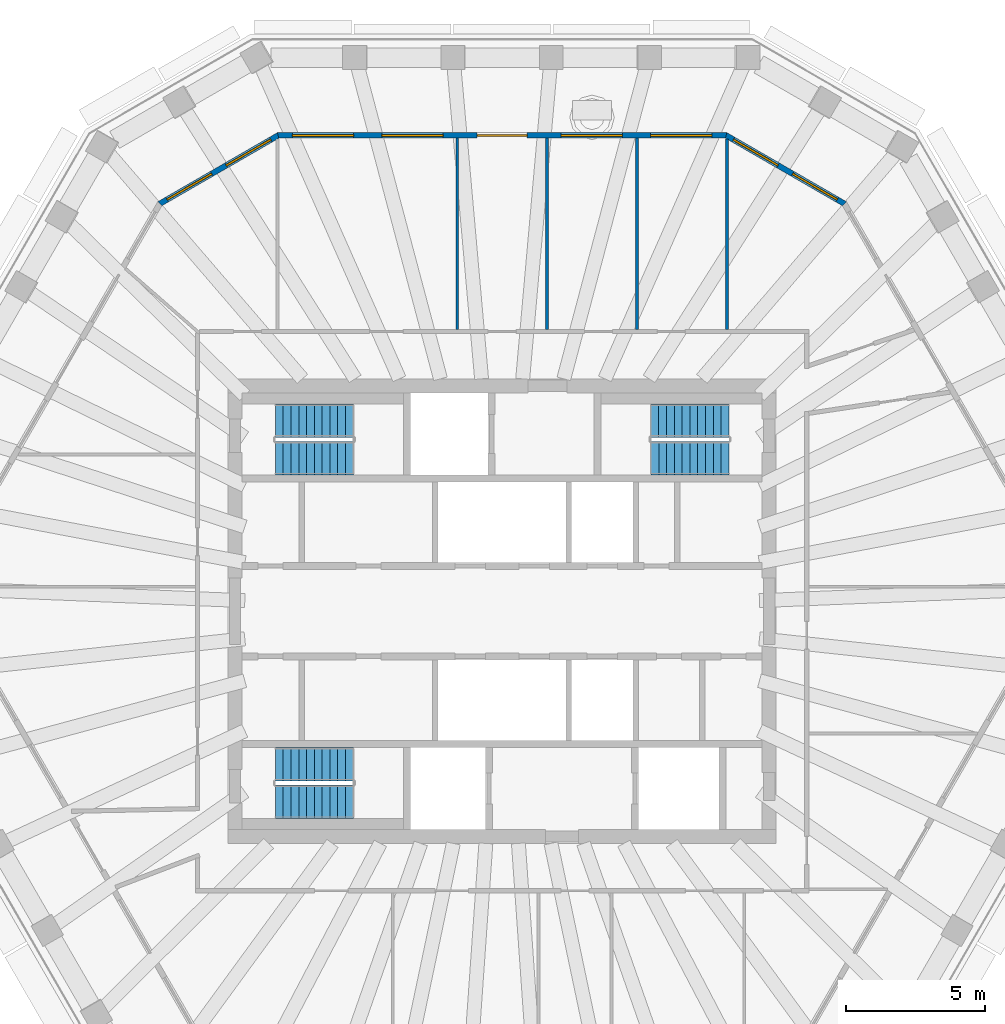
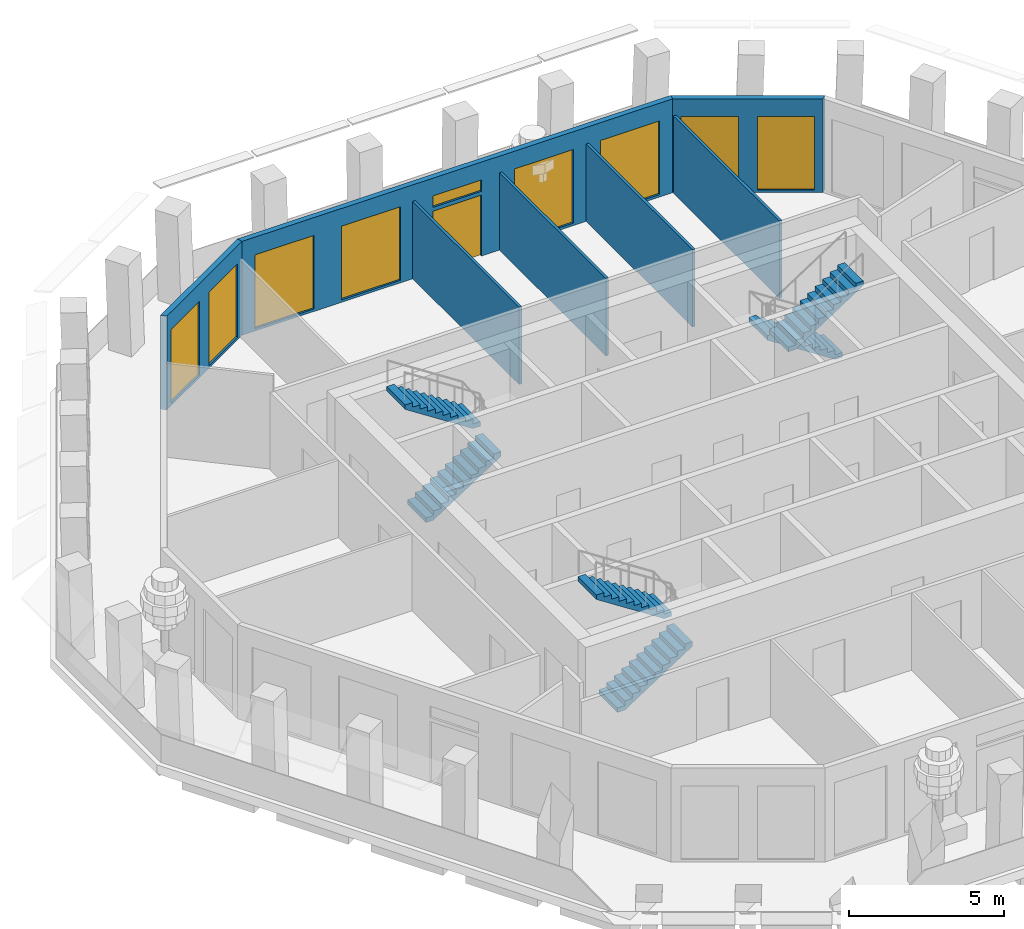
# One storey, part 7 of 11: 9 windows, 7 walls, 6 stair flights, 1 door, 10 openings, 3 elements without a shape of their own.
"""IFC4 building model written with IfcOpenShell, lengths in metres."""

from ifc_helpers import new_model, si_unit, direction, frame, frame_2d, origin, place, context, subcontext, project, spatial, polyline, rectangle, outline, extrude, material, layer, layer_set, type_object, element, fill, aggregate, save


model = new_model("IFC4")

# Units and contexts
model_context = context("Model", 3, precision=1e-05, world=origin(), true_north=direction((0.0, 1.0)))
body_context = subcontext(model_context, "Body", "Model", "MODEL_VIEW")
ifc_project = project(units=[si_unit("LENGTHUNIT", "METRE"), si_unit("AREAUNIT", "SQUARE_METRE"), si_unit("VOLUMEUNIT", "CUBIC_METRE"), si_unit("PLANEANGLEUNIT", "RADIAN"), si_unit("MASSUNIT", "GRAM", prefix="KILO")], contexts=[model_context])

# Site, building, storey
site_placement = place(None, origin())
site = spatial("IfcSite", under=ifc_project, at=site_placement, CompositionType="ELEMENT")
building_placement = place(site_placement, origin())
building = spatial("IfcBuilding", under=site, at=building_placement, Name="Frailejon Research Tower", CompositionType="ELEMENT")
storey_placement = place(building_placement, frame((0.0, 0.0, 336.60009765625)))
storey = spatial("IfcBuildingStorey", under=building, at=storey_placement, Name="L75", CompositionType="ELEMENT", Elevation=336.60009765625)

# Walls
ifc_material_1 = material(Name="Gypsum board and masonry partition", Category="masonry")
ifc_layer_1 = layer(ifc_material_1, 0.10009765625)
ifc_layer_set_1 = layer_set([ifc_layer_1], Name="Partition, gypsum on steel studs 100")
wall_type_1 = type_object("IfcWallType", Name="Partition, gypsum on steel studs 100", PredefinedType="PARTITIONING", material=ifc_layer_set_1)
wall_1_placement = place(storey_placement, frame((8.079833984375, 10.125, 0.0), z_axis=(0.0, 0.0, 1.0), x_axis=(0.0, 1.0, 0.0)))
element("IfcWall", 1, at=wall_1_placement, inside=storey, type_object=wall_type_1, Name="T:IW:L75:013", PredefinedType="PARTITIONING", context=body_context, shape_type="SweptSolid", body=[
    extrude(rectangle(XDim=6.843994140625, YDim=0.10009765625, at=frame_2d((3.421875, 0.0))), origin(), (0.0, 0.0, 1.0), 3.0498046875),
])
for number, where, z_axis, x_axis, name in (
    (2, (4.847900390625, 10.125, 0.0), (0.0, 0.0, 1.0), (0.0, 1.0, 0.0), "T:IW:L75:014"),
    (3, (1.615966796875, 10.125, 0.0), (0.0, 0.0, 1.0), (0.0, 1.0, 0.0), "T:IW:L75:015"),
    (4, (-1.615966796875, 10.125, 0.0), (0.0, 0.0, 1.0), (0.0, 1.0, 0.0), "T:IW:L75:016"),
):
    element("IfcWall", number, at=place(storey_placement, frame(where, z_axis=z_axis, x_axis=x_axis)), inside=storey, type_object=wall_type_1, Name=name, PredefinedType="PARTITIONING", context=body_context, shape_type="SweptSolid", body=[
        extrude(rectangle(XDim=6.875, YDim=0.10009765625, at=frame_2d((3.4375, 0.0))), origin(), (0.0, 0.0, 1.0), 3.0498046875),
    ])

# Wall, openings, windows
ifc_material_2 = material(Name="Concrete C40/50 precast window wall panel", Category="concrete")
ifc_layer_2 = layer(ifc_material_2, 0.199951171875)
ifc_layer_set_2 = layer_set([ifc_layer_2], Name="Window wall 200")
wall_type_2 = type_object("IfcWallType", Name="Window wall 200", PredefinedType="SOLIDWALL", material=ifc_layer_set_2)
wall_2_placement = place(storey_placement, frame((12.306640625, 14.644287109375, 0.0), z_axis=(0.0, 0.0, 1.0), x_axis=(-0.866029143232, 0.499993523031, 0.0)))
wall_2 = element("IfcWall", 5, at=wall_2_placement, inside=storey, type_object=wall_type_2, Name="Exterior wall L75", PredefinedType="SOLIDWALL", context=body_context, shape_type="SweptSolid", body=[
    extrude(outline(polyline([(-0.02685546875, -0.10009765625), (1.21435546875, -0.10009765625), (2.455810546875, -0.10009765625), (3.697265625, -0.10009765625), (4.9384765625, -0.10009765625), (4.884765625, 0.10009765625), (3.67041015625, 0.10009765625), (2.455810546875, 0.10009765625), (1.2412109375, 0.10009765625), (0.02685546875, 0.10009765625), (-0.02685546875, -0.10009765625)])), origin(), (0.0, 0.0, 1.0), 3.699951171875),
])
opening_1_placement = place(wall_2_placement, frame((0.302978515625, 0.0, 0.10009765625)))
opening_1 = element("IfcOpeningElement", 6, at=opening_1_placement, cuts=wall_2, Name="Opening W26", PredefinedType="OPENING", context=body_context, shape_type="SweptSolid", body=[
    extrude(rectangle(XDim=1.85009765625, YDim=2.89990234375, at=frame_2d((0.925048828125, 1.449951171875))), frame((0.0, 0.10986328125, 0.0), z_axis=(0.0, -1.0, 0.0), x_axis=(1.0, 0.0, 0.0)), (0.0, 0.0, 1.0), 0.219970703125),
])
opening_2_placement = place(wall_2_placement, frame((2.7587890625, 0.0, 0.10009765625)))
opening_2 = element("IfcOpeningElement", 7, at=opening_2_placement, cuts=wall_2, Name="Opening W26", PredefinedType="OPENING", context=body_context, shape_type="SweptSolid", body=[
    extrude(rectangle(XDim=1.85009765625, YDim=2.89990234375, at=frame_2d((0.925048828125, 1.449951171875))), frame((0.0, 0.10986328125, 0.0), z_axis=(0.0, -1.0, 0.0), x_axis=(1.0, 0.0, 0.0)), (0.0, 0.0, 1.0), 0.219970703125),
])
ifc_material_3 = material(Name="Aluminium framed double glazing", Category="aluminium")
window_type_1 = type_object("IfcWindowType", Name="Window 1850x2900", PartitioningType="SINGLE_PANEL", PredefinedType="WINDOW", material=ifc_material_3)
window_1_placement = place(opening_1_placement, origin())
window_1 = element("IfcWindow", 8, at=window_1_placement, inside=storey, type_object=window_type_1, Name="Window L75", OverallHeight=2.89990234375, OverallWidth=1.85009765625, PartitioningType="SINGLE_PANEL", PredefinedType="WINDOW", context=body_context, shape_type="SweptSolid", body=[
    extrude(rectangle(XDim=1.85009765625, YDim=2.89990234375, at=frame_2d((0.925048828125, 1.449951171875))), frame((0.0, 0.030029296875, 0.0), z_axis=(0.0, -1.0, 0.0), x_axis=(1.0, 0.0, 0.0)), (0.0, 0.0, 1.0), 0.06005859375),
])
fill(opening_1, window_1)
window_2_placement = place(opening_2_placement, origin())
window_2 = element("IfcWindow", 9, at=window_2_placement, inside=storey, type_object=window_type_1, Name="Window L75", OverallHeight=2.89990234375, OverallWidth=1.85009765625, PartitioningType="SINGLE_PANEL", PredefinedType="WINDOW", context=body_context, shape_type="SweptSolid", body=[
    extrude(rectangle(XDim=1.85009765625, YDim=2.89990234375, at=frame_2d((0.925048828125, 1.449951171875))), frame((0.0, 0.030029296875, 0.0), z_axis=(0.0, -1.0, 0.0), x_axis=(1.0, 0.0, 0.0)), (0.0, 0.0, 1.0), 0.06005859375),
])
fill(opening_2, window_2)

# Wall, openings, door, windows
wall_3_placement = place(storey_placement, frame((8.052978515625, 17.10009765625, 0.0), z_axis=(0.0, 0.0, 1.0), x_axis=(-1.0, 0.0, 0.0)))
wall_3 = element("IfcWall", 10, at=wall_3_placement, inside=storey, type_object=wall_type_2, Name="Exterior wall L75", PredefinedType="SOLIDWALL", context=body_context, shape_type="SweptSolid", body=[
    extrude(outline(polyline([(-0.02685546875, -0.10009765625), (0.983154296875, -0.10009765625), (1.9931640625, -0.10009765625), (3.003173828125, -0.10009765625), (4.01318359375, -0.10009765625), (5.02294921875, -0.10009765625), (6.032958984375, -0.10009765625), (7.04296875, -0.10009765625), (8.052978515625, -0.10009765625), (9.06298828125, -0.10009765625), (10.072998046875, -0.10009765625), (11.0830078125, -0.10009765625), (12.0927734375, -0.10009765625), (13.102783203125, -0.10009765625), (14.11279296875, -0.10009765625), (15.122802734375, -0.10009765625), (16.1328125, -0.10009765625), (16.0791015625, 0.10009765625), (15.075927734375, 0.10009765625), (14.072509765625, 0.10009765625), (13.0693359375, 0.10009765625), (12.06591796875, 0.10009765625), (11.062744140625, 0.10009765625), (10.0595703125, 0.10009765625), (9.05615234375, 0.10009765625), (8.052978515625, 0.10009765625), (7.0498046875, 0.10009765625), (6.04638671875, 0.10009765625), (5.043212890625, 0.10009765625), (4.0400390625, 0.10009765625), (3.03662109375, 0.10009765625), (2.033447265625, 0.10009765625), (1.030029296875, 0.10009765625), (0.02685546875, 0.10009765625), (-0.02685546875, -0.10009765625)])), origin(), (0.0, 0.0, 1.0), 3.699951171875),
])
opening_3_placement = place(wall_3_placement, frame((0.510498046875, 0.0, 0.10009765625)))
opening_3 = element("IfcOpeningElement", 11, at=opening_3_placement, cuts=wall_3, Name="Opening W28", PredefinedType="OPENING", context=body_context, shape_type="SweptSolid", body=[
    extrude(rectangle(XDim=2.199951171875, YDim=2.89990234375, at=frame_2d((1.10009765625, 1.449951171875))), frame((0.0, 0.10986328125, 0.0), z_axis=(0.0, -1.0, 0.0), x_axis=(1.0, 0.0, 0.0)), (0.0, 0.0, 1.0), 0.219970703125),
])
opening_4_placement = place(wall_3_placement, frame((3.731689453125, 0.0, 0.10009765625)))
opening_4 = element("IfcOpeningElement", 12, at=opening_4_placement, cuts=wall_3, Name="Opening W28", PredefinedType="OPENING", context=body_context, shape_type="SweptSolid", body=[
    extrude(rectangle(XDim=2.199951171875, YDim=2.89990234375, at=frame_2d((1.10009765625, 1.449951171875))), frame((0.0, 0.10986328125, 0.0), z_axis=(0.0, -1.0, 0.0), x_axis=(1.0, 0.0, 0.0)), (0.0, 0.0, 1.0), 0.219970703125),
])
opening_5_placement = place(wall_3_placement, frame((7.153076171875, 0.0, 0.0)))
opening_5 = element("IfcOpeningElement", 13, at=opening_5_placement, cuts=wall_3, Name="Opening LG75-2", PredefinedType="OPENING", context=body_context, shape_type="SweptSolid", body=[
    extrude(rectangle(XDim=1.800048828125, YDim=2.39990234375, at=frame_2d((0.89990234375, 1.199951171875))), frame((0.0, 0.10986328125, 0.0), z_axis=(0.0, -1.0, 0.0), x_axis=(1.0, 0.0, 0.0)), (0.0, 0.0, 1.0), 0.219970703125),
])
opening_6_placement = place(wall_3_placement, frame((7.153076171875, 0.0, 2.550048828125)))
opening_6 = element("IfcOpeningElement", 14, at=opening_6_placement, cuts=wall_3, Name="Opening W1", PredefinedType="OPENING", context=body_context, shape_type="SweptSolid", body=[
    extrude(rectangle(XDim=1.800048828125, YDim=0.449951171875, at=frame_2d((0.89990234375, 0.22509765625))), frame((0.0, 0.10986328125, 0.0), z_axis=(0.0, -1.0, 0.0), x_axis=(1.0, 0.0, 0.0)), (0.0, 0.0, 1.0), 0.219970703125),
])
opening_7_placement = place(wall_3_placement, frame((10.17431640625, 0.0, 0.10009765625)))
opening_7 = element("IfcOpeningElement", 15, at=opening_7_placement, cuts=wall_3, Name="Opening W28", PredefinedType="OPENING", context=body_context, shape_type="SweptSolid", body=[
    extrude(rectangle(XDim=2.199951171875, YDim=2.89990234375, at=frame_2d((1.10009765625, 1.449951171875))), frame((0.0, 0.10986328125, 0.0), z_axis=(0.0, -1.0, 0.0), x_axis=(1.0, 0.0, 0.0)), (0.0, 0.0, 1.0), 0.219970703125),
])
opening_8_placement = place(wall_3_placement, frame((13.3955078125, 0.0, 0.10009765625)))
opening_8 = element("IfcOpeningElement", 16, at=opening_8_placement, cuts=wall_3, Name="Opening W28", PredefinedType="OPENING", context=body_context, shape_type="SweptSolid", body=[
    extrude(rectangle(XDim=2.199951171875, YDim=2.89990234375, at=frame_2d((1.10009765625, 1.449951171875))), frame((0.0, 0.10986328125, 0.0), z_axis=(0.0, -1.0, 0.0), x_axis=(1.0, 0.0, 0.0)), (0.0, 0.0, 1.0), 0.219970703125),
])
ifc_material_4 = material(Name="Aluminium framed glazed door leaf", Category="aluminium")
door_type = type_object("IfcDoorType", Name="Loggia door 1800x2400", OperationType="DOUBLE_DOOR_SINGLE_SWING", PredefinedType="DOOR", material=ifc_material_4)
door_placement = place(opening_5_placement, origin())
door = element("IfcDoor", 17, at=door_placement, inside=storey, type_object=door_type, Name="Door LG75-2", OperationType="DOUBLE_DOOR_SINGLE_SWING", OverallHeight=2.39990234375, OverallWidth=1.800048828125, PredefinedType="DOOR", context=body_context, shape_type="SweptSolid", body=[
    extrude(rectangle(XDim=1.800048828125, YDim=2.39990234375, at=frame_2d((0.89990234375, 1.199951171875))), frame((0.0, 0.02490234375, 0.0), z_axis=(0.0, -1.0, 0.0), x_axis=(1.0, 0.0, 0.0)), (0.0, 0.0, 1.0), 0.050048828125),
])
fill(opening_5, door)
ifc_material_5 = material(Name="Aluminium framed double glazing", Category="aluminium")
window_type_2 = type_object("IfcWindowType", Name="Window 1800x450", PartitioningType="SINGLE_PANEL", PredefinedType="WINDOW", material=ifc_material_5)
window_3_placement = place(opening_6_placement, origin())
window_3 = element("IfcWindow", 18, at=window_3_placement, inside=storey, type_object=window_type_2, Name="Window L75", OverallHeight=0.449951171875, OverallWidth=1.800048828125, PartitioningType="SINGLE_PANEL", PredefinedType="WINDOW", context=body_context, shape_type="SweptSolid", body=[
    extrude(rectangle(XDim=1.800048828125, YDim=0.449951171875, at=frame_2d((0.89990234375, 0.22509765625))), frame((0.0, 0.030029296875, 0.0), z_axis=(0.0, -1.0, 0.0), x_axis=(1.0, 0.0, 0.0)), (0.0, 0.0, 1.0), 0.06005859375),
])
fill(opening_6, window_3)
ifc_material_6 = material(Name="Aluminium framed double glazing", Category="aluminium")
window_type_3 = type_object("IfcWindowType", Name="Window 2200x2900", PartitioningType="SINGLE_PANEL", PredefinedType="WINDOW", material=ifc_material_6)
window_4_placement = place(opening_3_placement, origin())
window_4 = element("IfcWindow", 19, at=window_4_placement, inside=storey, type_object=window_type_3, Name="Window L75", OverallHeight=2.89990234375, OverallWidth=2.199951171875, PartitioningType="SINGLE_PANEL", PredefinedType="WINDOW", context=body_context, shape_type="SweptSolid", body=[
    extrude(rectangle(XDim=2.199951171875, YDim=2.89990234375, at=frame_2d((1.10009765625, 1.449951171875))), frame((0.0, 0.030029296875, 0.0), z_axis=(0.0, -1.0, 0.0), x_axis=(1.0, 0.0, 0.0)), (0.0, 0.0, 1.0), 0.06005859375),
])
fill(opening_3, window_4)
window_5_placement = place(opening_4_placement, origin())
window_5 = element("IfcWindow", 20, at=window_5_placement, inside=storey, type_object=window_type_3, Name="Window L75", OverallHeight=2.89990234375, OverallWidth=2.199951171875, PartitioningType="SINGLE_PANEL", PredefinedType="WINDOW", context=body_context, shape_type="SweptSolid", body=[
    extrude(rectangle(XDim=2.199951171875, YDim=2.89990234375, at=frame_2d((1.10009765625, 1.449951171875))), frame((0.0, 0.030029296875, 0.0), z_axis=(0.0, -1.0, 0.0), x_axis=(1.0, 0.0, 0.0)), (0.0, 0.0, 1.0), 0.06005859375),
])
fill(opening_4, window_5)
window_6_placement = place(opening_7_placement, origin())
window_6 = element("IfcWindow", 21, at=window_6_placement, inside=storey, type_object=window_type_3, Name="Window L75", OverallHeight=2.89990234375, OverallWidth=2.199951171875, PartitioningType="SINGLE_PANEL", PredefinedType="WINDOW", context=body_context, shape_type="SweptSolid", body=[
    extrude(rectangle(XDim=2.199951171875, YDim=2.89990234375, at=frame_2d((1.10009765625, 1.449951171875))), frame((0.0, 0.030029296875, 0.0), z_axis=(0.0, -1.0, 0.0), x_axis=(1.0, 0.0, 0.0)), (0.0, 0.0, 1.0), 0.06005859375),
])
fill(opening_7, window_6)
window_7_placement = place(opening_8_placement, origin())
window_7 = element("IfcWindow", 22, at=window_7_placement, inside=storey, type_object=window_type_3, Name="Window L75", OverallHeight=2.89990234375, OverallWidth=2.199951171875, PartitioningType="SINGLE_PANEL", PredefinedType="WINDOW", context=body_context, shape_type="SweptSolid", body=[
    extrude(rectangle(XDim=2.199951171875, YDim=2.89990234375, at=frame_2d((1.10009765625, 1.449951171875))), frame((0.0, 0.030029296875, 0.0), z_axis=(0.0, -1.0, 0.0), x_axis=(1.0, 0.0, 0.0)), (0.0, 0.0, 1.0), 0.06005859375),
])
fill(opening_8, window_7)

# Wall, openings, windows
wall_4_placement = place(storey_placement, frame((-8.052978515625, 17.10009765625, 0.0), z_axis=(0.0, 0.0, 1.0), x_axis=(-0.866029143232, -0.499993523031, 0.0)))
wall_4 = element("IfcWall", 23, at=wall_4_placement, inside=storey, type_object=wall_type_2, Name="Exterior wall L75", PredefinedType="SOLIDWALL", context=body_context, shape_type="SweptSolid", body=[
    extrude(outline(polyline([(-0.02685546875, -0.10009765625), (1.21435546875, -0.10009765625), (2.455810546875, -0.10009765625), (3.697265625, -0.10009765625), (4.9384765625, -0.10009765625), (4.884765625, 0.10009765625), (3.67041015625, 0.10009765625), (2.455810546875, 0.10009765625), (1.2412109375, 0.10009765625), (0.02685546875, 0.10009765625), (-0.02685546875, -0.10009765625)])), origin(), (0.0, 0.0, 1.0), 3.699951171875),
])
opening_9_placement = place(wall_4_placement, frame((0.302978515625, 0.0, 0.10009765625)))
opening_9 = element("IfcOpeningElement", 24, at=opening_9_placement, cuts=wall_4, Name="Opening W26", PredefinedType="OPENING", context=body_context, shape_type="SweptSolid", body=[
    extrude(rectangle(XDim=1.85009765625, YDim=2.89990234375, at=frame_2d((0.925048828125, 1.449951171875))), frame((0.0, 0.10986328125, 0.0), z_axis=(0.0, -1.0, 0.0), x_axis=(1.0, 0.0, 0.0)), (0.0, 0.0, 1.0), 0.219970703125),
])
opening_10_placement = place(wall_4_placement, frame((2.7587890625, 0.0, 0.10009765625)))
opening_10 = element("IfcOpeningElement", 25, at=opening_10_placement, cuts=wall_4, Name="Opening W26", PredefinedType="OPENING", context=body_context, shape_type="SweptSolid", body=[
    extrude(rectangle(XDim=1.85009765625, YDim=2.89990234375, at=frame_2d((0.925048828125, 1.449951171875))), frame((0.0, 0.10986328125, 0.0), z_axis=(0.0, -1.0, 0.0), x_axis=(1.0, 0.0, 0.0)), (0.0, 0.0, 1.0), 0.219970703125),
])
window_8_placement = place(opening_9_placement, origin())
window_8 = element("IfcWindow", 26, at=window_8_placement, inside=storey, type_object=window_type_1, Name="Window L75", OverallHeight=2.89990234375, OverallWidth=1.85009765625, PartitioningType="SINGLE_PANEL", PredefinedType="WINDOW", context=body_context, shape_type="SweptSolid", body=[
    extrude(rectangle(XDim=1.85009765625, YDim=2.89990234375, at=frame_2d((0.925048828125, 1.449951171875))), frame((0.0, 0.030029296875, 0.0), z_axis=(0.0, -1.0, 0.0), x_axis=(1.0, 0.0, 0.0)), (0.0, 0.0, 1.0), 0.06005859375),
])
fill(opening_9, window_8)
window_9_placement = place(opening_10_placement, origin())
window_9 = element("IfcWindow", 27, at=window_9_placement, inside=storey, type_object=window_type_1, Name="Window L75", OverallHeight=2.89990234375, OverallWidth=1.85009765625, PartitioningType="SINGLE_PANEL", PredefinedType="WINDOW", context=body_context, shape_type="SweptSolid", body=[
    extrude(rectangle(XDim=1.85009765625, YDim=2.89990234375, at=frame_2d((0.925048828125, 1.449951171875))), frame((0.0, 0.030029296875, 0.0), z_axis=(0.0, -1.0, 0.0), x_axis=(1.0, 0.0, 0.0)), (0.0, 0.0, 1.0), 0.06005859375),
])
fill(opening_10, window_9)

# Stair, stair flights
ifc_material_7 = material(Name="Concrete C50/60", Category="concrete")
stair_type = type_object("IfcStairType", Name="Exit stair 22 risers", PredefinedType="HALF_TURN_STAIR", material=ifc_material_7)
stair_1_placement = place(storey_placement, origin())
stair_1 = element("IfcStair", 28, at=stair_1_placement, inside=storey, type_object=stair_type, Name="L75 Exit stair ST1", PredefinedType="HALF_TURN_STAIR")
ifc_material_8 = material(Name="Concrete C50/60", Category="concrete")
ifc_layer_3 = layer(ifc_material_8, 0.14990234375)
ifc_layer_set_3 = layer_set([ifc_layer_3], Name="Stair flight 11 risers")
stair_flight_type = type_object("IfcStairFlightType", Name="Stair flight 11 risers", PredefinedType="STRAIGHT", material=ifc_layer_set_3)
stair_flight_1_placement = place(storey_placement, frame((-8.14990234375, 5.5, 0.0), z_axis=(0.0, 0.0, 1.0), x_axis=(1.0, 0.0, 0.0)))
stair_flight_1 = element("IfcStairFlight", 29, at=stair_flight_1_placement, type_object=stair_flight_type, Name="ST1 flight 1", NumberOfRisers=11, NumberOfTreads=10, PredefinedType="STRAIGHT", RiserHeight=0.181818182, TreadLength=0.28, context=body_context, shape_type="SweptSolid", body=[
    extrude(outline(polyline([(0.0, 0.0), (0.0, 0.181884765625), (0.280029296875, 0.181884765625), (0.280029296875, 0.363525390625), (0.56005859375, 0.363525390625), (0.56005859375, 0.54541015625), (0.840087890625, 0.54541015625), (0.840087890625, 0.727294921875), (1.1201171875, 0.727294921875), (1.1201171875, 0.9091796875), (1.39990234375, 0.9091796875), (1.39990234375, 1.0908203125), (1.679931640625, 1.0908203125), (1.679931640625, 1.272705078125), (1.9599609375, 1.272705078125), (1.9599609375, 1.45458984375), (2.239990234375, 1.45458984375), (2.239990234375, 1.636474609375), (2.52001953125, 1.636474609375), (2.52001953125, 1.818115234375), (2.800048828125, 1.818115234375), (2.800048828125, 2.0), (2.800048828125, 1.639404296875), (0.275146484375, 0.0), (0.0, 0.0)])), frame((0.0, 0.60009765625, 0.0), z_axis=(0.0, -1.0, 0.0), x_axis=(1.0, 0.0, 0.0)), (0.0, 0.0, 1.0), 1.199951171875),
])
stair_flight_2_placement = place(storey_placement, frame((-5.35009765625, 6.85009765625, 2.0), z_axis=(0.0, 0.0, 1.0), x_axis=(-1.0, 0.0, 0.0)))
stair_flight_2 = element("IfcStairFlight", 30, at=stair_flight_2_placement, type_object=stair_flight_type, Name="ST1 flight 2", NumberOfRisers=11, NumberOfTreads=10, PredefinedType="STRAIGHT", RiserHeight=0.181818182, TreadLength=0.28, context=body_context, shape_type="SweptSolid", body=[
    extrude(outline(polyline([(0.0, 0.0), (0.0, 0.181884765625), (0.280029296875, 0.181884765625), (0.280029296875, 0.363525390625), (0.56005859375, 0.363525390625), (0.56005859375, 0.54541015625), (0.840087890625, 0.54541015625), (0.840087890625, 0.727294921875), (1.1201171875, 0.727294921875), (1.1201171875, 0.9091796875), (1.39990234375, 0.9091796875), (1.39990234375, 1.0908203125), (1.679931640625, 1.0908203125), (1.679931640625, 1.272705078125), (1.9599609375, 1.272705078125), (1.9599609375, 1.45458984375), (2.239990234375, 1.45458984375), (2.239990234375, 1.636474609375), (2.52001953125, 1.636474609375), (2.52001953125, 1.818115234375), (2.800048828125, 1.818115234375), (2.800048828125, 2.0), (2.800048828125, 1.639404296875), (0.275146484375, 0.0), (0.0, 0.0)])), frame((0.0, 0.60009765625, 0.0), z_axis=(0.0, -1.0, 0.0), x_axis=(1.0, 0.0, 0.0)), (0.0, 0.0, 1.0), 1.199951171875),
])
aggregate(stair_1, [stair_flight_1, stair_flight_2])

stair_2_placement = place(storey_placement, origin())
stair_2 = element("IfcStair", 31, at=stair_2_placement, inside=storey, type_object=stair_type, Name="L75 Exit stair ST2", PredefinedType="HALF_TURN_STAIR")
stair_flight_3_placement = place(storey_placement, frame((-8.14990234375, -6.85009765625, 0.0), z_axis=(0.0, 0.0, 1.0), x_axis=(1.0, 0.0, 0.0)))
stair_flight_3 = element("IfcStairFlight", 32, at=stair_flight_3_placement, type_object=stair_flight_type, Name="ST2 flight 1", NumberOfRisers=11, NumberOfTreads=10, PredefinedType="STRAIGHT", RiserHeight=0.181818182, TreadLength=0.28, context=body_context, shape_type="SweptSolid", body=[
    extrude(outline(polyline([(0.0, 0.0), (0.0, 0.181884765625), (0.280029296875, 0.181884765625), (0.280029296875, 0.363525390625), (0.56005859375, 0.363525390625), (0.56005859375, 0.54541015625), (0.840087890625, 0.54541015625), (0.840087890625, 0.727294921875), (1.1201171875, 0.727294921875), (1.1201171875, 0.9091796875), (1.39990234375, 0.9091796875), (1.39990234375, 1.0908203125), (1.679931640625, 1.0908203125), (1.679931640625, 1.272705078125), (1.9599609375, 1.272705078125), (1.9599609375, 1.45458984375), (2.239990234375, 1.45458984375), (2.239990234375, 1.636474609375), (2.52001953125, 1.636474609375), (2.52001953125, 1.818115234375), (2.800048828125, 1.818115234375), (2.800048828125, 2.0), (2.800048828125, 1.639404296875), (0.275146484375, 0.0), (0.0, 0.0)])), frame((0.0, 0.60009765625, 0.0), z_axis=(0.0, -1.0, 0.0), x_axis=(1.0, 0.0, 0.0)), (0.0, 0.0, 1.0), 1.199951171875),
])
stair_flight_4_placement = place(storey_placement, frame((-5.35009765625, -5.5, 2.0), z_axis=(0.0, 0.0, 1.0), x_axis=(-1.0, 0.0, 0.0)))
stair_flight_4 = element("IfcStairFlight", 33, at=stair_flight_4_placement, type_object=stair_flight_type, Name="ST2 flight 2", NumberOfRisers=11, NumberOfTreads=10, PredefinedType="STRAIGHT", RiserHeight=0.181818182, TreadLength=0.28, context=body_context, shape_type="SweptSolid", body=[
    extrude(outline(polyline([(0.0, 0.0), (0.0, 0.181884765625), (0.280029296875, 0.181884765625), (0.280029296875, 0.363525390625), (0.56005859375, 0.363525390625), (0.56005859375, 0.54541015625), (0.840087890625, 0.54541015625), (0.840087890625, 0.727294921875), (1.1201171875, 0.727294921875), (1.1201171875, 0.9091796875), (1.39990234375, 0.9091796875), (1.39990234375, 1.0908203125), (1.679931640625, 1.0908203125), (1.679931640625, 1.272705078125), (1.9599609375, 1.272705078125), (1.9599609375, 1.45458984375), (2.239990234375, 1.45458984375), (2.239990234375, 1.636474609375), (2.52001953125, 1.636474609375), (2.52001953125, 1.818115234375), (2.800048828125, 1.818115234375), (2.800048828125, 2.0), (2.800048828125, 1.639404296875), (0.275146484375, 0.0), (0.0, 0.0)])), frame((0.0, 0.60009765625, 0.0), z_axis=(0.0, -1.0, 0.0), x_axis=(1.0, 0.0, 0.0)), (0.0, 0.0, 1.0), 1.199951171875),
])
aggregate(stair_2, [stair_flight_3, stair_flight_4])

stair_3_placement = place(storey_placement, origin())
stair_3 = element("IfcStair", 34, at=stair_3_placement, inside=storey, type_object=stair_type, Name="L75 Exit stair ST3", PredefinedType="HALF_TURN_STAIR")
stair_flight_5_placement = place(storey_placement, frame((8.14990234375, 6.85009765625, 0.0), z_axis=(0.0, 0.0, 1.0), x_axis=(-1.0, 0.0, 0.0)))
stair_flight_5 = element("IfcStairFlight", 35, at=stair_flight_5_placement, type_object=stair_flight_type, Name="ST3 flight 1", NumberOfRisers=11, NumberOfTreads=10, PredefinedType="STRAIGHT", RiserHeight=0.181818182, TreadLength=0.28, context=body_context, shape_type="SweptSolid", body=[
    extrude(outline(polyline([(0.0, 0.0), (0.0, 0.181884765625), (0.280029296875, 0.181884765625), (0.280029296875, 0.363525390625), (0.56005859375, 0.363525390625), (0.56005859375, 0.54541015625), (0.840087890625, 0.54541015625), (0.840087890625, 0.727294921875), (1.1201171875, 0.727294921875), (1.1201171875, 0.9091796875), (1.39990234375, 0.9091796875), (1.39990234375, 1.0908203125), (1.679931640625, 1.0908203125), (1.679931640625, 1.272705078125), (1.9599609375, 1.272705078125), (1.9599609375, 1.45458984375), (2.239990234375, 1.45458984375), (2.239990234375, 1.636474609375), (2.52001953125, 1.636474609375), (2.52001953125, 1.818115234375), (2.800048828125, 1.818115234375), (2.800048828125, 2.0), (2.800048828125, 1.639404296875), (0.275146484375, 0.0), (0.0, 0.0)])), frame((0.0, 0.60009765625, 0.0), z_axis=(0.0, -1.0, 0.0), x_axis=(1.0, 0.0, 0.0)), (0.0, 0.0, 1.0), 1.199951171875),
])
stair_flight_6_placement = place(storey_placement, frame((5.35009765625, 5.5, 2.0), z_axis=(0.0, 0.0, 1.0), x_axis=(1.0, 0.0, 0.0)))
stair_flight_6 = element("IfcStairFlight", 36, at=stair_flight_6_placement, type_object=stair_flight_type, Name="ST3 flight 2", NumberOfRisers=11, NumberOfTreads=10, PredefinedType="STRAIGHT", RiserHeight=0.181818182, TreadLength=0.28, context=body_context, shape_type="SweptSolid", body=[
    extrude(outline(polyline([(0.0, 0.0), (0.0, 0.181884765625), (0.280029296875, 0.181884765625), (0.280029296875, 0.363525390625), (0.56005859375, 0.363525390625), (0.56005859375, 0.54541015625), (0.840087890625, 0.54541015625), (0.840087890625, 0.727294921875), (1.1201171875, 0.727294921875), (1.1201171875, 0.9091796875), (1.39990234375, 0.9091796875), (1.39990234375, 1.0908203125), (1.679931640625, 1.0908203125), (1.679931640625, 1.272705078125), (1.9599609375, 1.272705078125), (1.9599609375, 1.45458984375), (2.239990234375, 1.45458984375), (2.239990234375, 1.636474609375), (2.52001953125, 1.636474609375), (2.52001953125, 1.818115234375), (2.800048828125, 1.818115234375), (2.800048828125, 2.0), (2.800048828125, 1.639404296875), (0.275146484375, 0.0), (0.0, 0.0)])), frame((0.0, 0.60009765625, 0.0), z_axis=(0.0, -1.0, 0.0), x_axis=(1.0, 0.0, 0.0)), (0.0, 0.0, 1.0), 1.199951171875),
])
aggregate(stair_3, [stair_flight_5, stair_flight_6])

save(model, "model.ifc")
